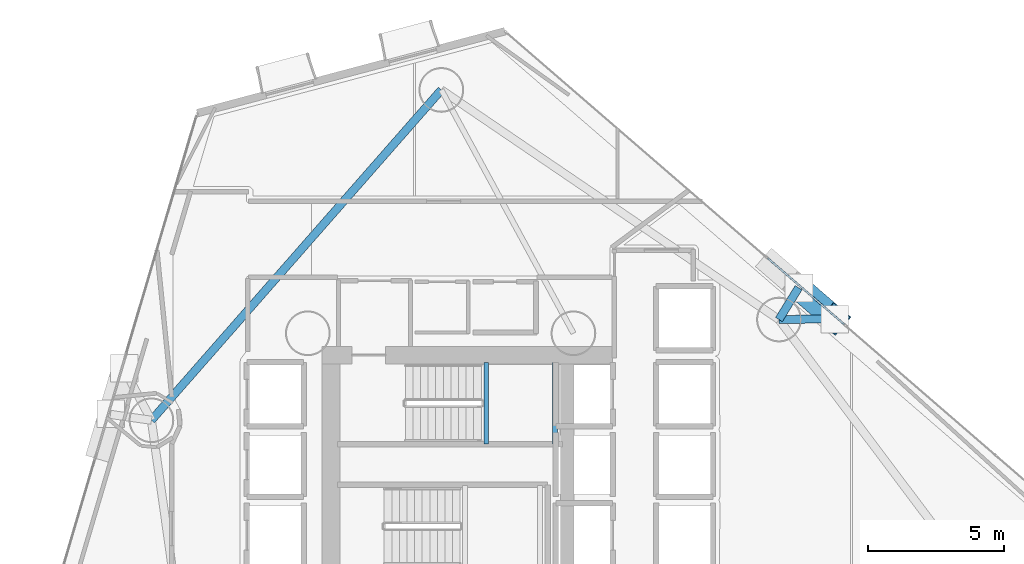
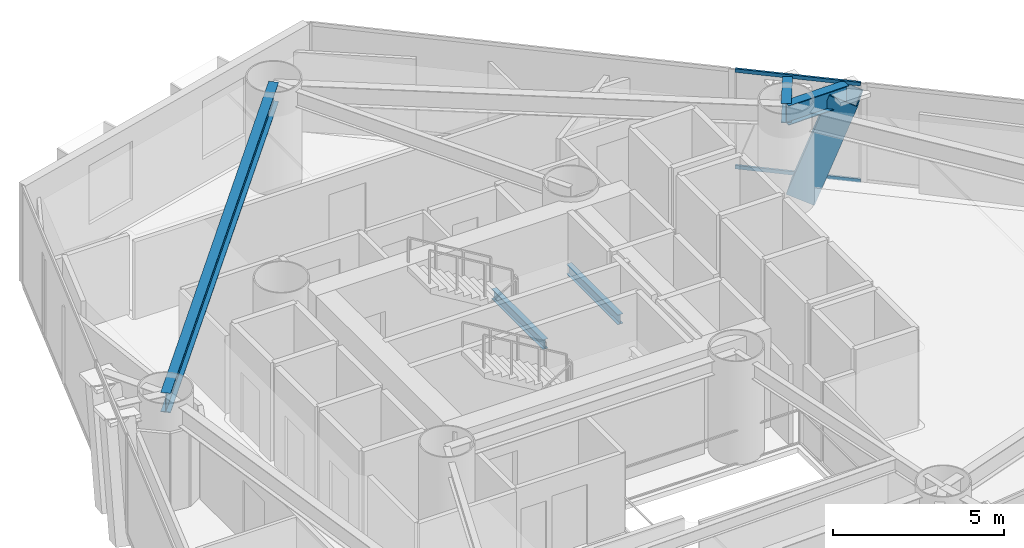
# One storey, part 9 of 23: 5 beams, 3 members, 1 element without a shape of its own.
"""IFC4 building model written with IfcOpenShell, lengths in metres."""

from ifc_helpers import new_model, si_unit, direction, frame, origin, origin_2d, place, context, subcontext, project, spatial, hollow_rectangle, i_section, extrude, material, layer, layer_set, material_profile, profile_set, type_object, element, aggregate, save


model = new_model("IFC4")

# Units and contexts
model_context = context("Model", 3, precision=1e-05, world=origin(), true_north=direction((0.0, 1.0)))
body_context = subcontext(model_context, "Body", "Model", "MODEL_VIEW")
ifc_project = project(units=[si_unit("LENGTHUNIT", "METRE"), si_unit("AREAUNIT", "SQUARE_METRE"), si_unit("VOLUMEUNIT", "CUBIC_METRE"), si_unit("PLANEANGLEUNIT", "RADIAN"), si_unit("MASSUNIT", "GRAM", prefix="KILO")], contexts=[model_context])

# Site, building, storey
site_placement = place(None, origin())
site = spatial("IfcSite", under=ifc_project, at=site_placement, CompositionType="ELEMENT")
building_placement = place(site_placement, origin())
building = spatial("IfcBuilding", under=site, at=building_placement, Name="Qianvela Tower", CompositionType="ELEMENT")
storey_placement = place(building_placement, frame((0.0, 0.0, 74.699951171875)))
storey = spatial("IfcBuildingStorey", under=building, at=storey_placement, Name="L18", CompositionType="ELEMENT", Elevation=74.699951171875)

# Beams
ifc_material_1 = material(Name="Steel Q355B", Category="steel")
ifc_material_profile_1 = material_profile(ifc_material_1, i_section(OverallWidth=0.175048828125, OverallDepth=0.35009765625, WebThickness=0.007080078125, FlangeThickness=0.010986328125, at=origin_2d()), Name="HN350x175x7x11")
ifc_profile_set_1 = profile_set([ifc_material_profile_1], Name="Steel Q355B")
beam_type_1 = type_object("IfcBeamType", Name="BM-HN350-JOIST", PredefinedType="JOIST", material=ifc_profile_set_1)
for number, where, z_axis, x_axis, name in (
    (1, (35.179931640625, 29.4599609375, 1.47509765625), (0.0, 1.0, 0.0), (-1.0, 0.0, 0.0), "L18 Stair ST-1 Landing Support Beam 1.1"),
    (2, (37.719970703125, 29.4599609375, 1.47509765625), (0.0, 1.0, 0.0), (-1.0, 0.0, 0.0), "L18 Stair ST-1 Landing Support Beam 1.2"),
):
    element("IfcBeam", number, at=place(storey_placement, frame(where, z_axis=z_axis, x_axis=x_axis)), inside=storey, type_object=beam_type_1, Name=name, PredefinedType="JOIST", context=body_context, shape_type="SweptSolid", body=[
        extrude(i_section(OverallWidth=0.175048828125, OverallDepth=0.35009765625, WebThickness=0.007080078125, FlangeThickness=0.010986328125, at=origin_2d()), origin(), (0.0, 0.0, 1.0), 3.02001953125),
    ])
ifc_material_2 = material(Name="Steel Q355B", Category="steel")
ifc_material_profile_2 = material_profile(ifc_material_2, i_section(OverallWidth=0.300048828125, OverallDepth=0.699951171875, WebThickness=0.012939453125, FlangeThickness=0.02392578125, at=origin_2d()), Name="HN700x300x13x24")
ifc_profile_set_2 = profile_set([ifc_material_profile_2], Name="Steel Q355B")
beam_type_2 = type_object("IfcBeamType", Name="BM-HN700-SPAND", PredefinedType="SPANDREL", material=ifc_profile_set_2)
beam_1_placement = place(storey_placement, frame((45.98388671875, 34.056884765625, 3.16796875), z_axis=(0.999906209312, 0.01369571392, 0.0), x_axis=(-0.01369571392, 0.999906209312, 0.0)))
element("IfcBeam", 3, at=beam_1_placement, inside=storey, type_object=beam_type_2, Name="L18 Mega-Brace Column Tie Bracket F1-1", PredefinedType="SPANDREL", context=body_context, shape_type="SweptSolid", body=[
    extrude(i_section(OverallWidth=0.300048828125, OverallDepth=0.699951171875, WebThickness=0.012939453125, FlangeThickness=0.02392578125, at=origin_2d()), origin(), (0.0, 0.0, 1.0), 2.050048828125),
])
beam_2_placement = place(storey_placement, frame((45.98388671875, 34.056884765625, 3.16796875), z_axis=(0.524768979589, 0.851244687538, 0.0), x_axis=(-0.851244687538, 0.524768979589, 0.0)))
element("IfcBeam", 4, at=beam_2_placement, inside=storey, type_object=beam_type_2, Name="L18 Mega-Brace Column Tie Bracket F1-2", PredefinedType="SPANDREL", context=body_context, shape_type="SweptSolid", body=[
    extrude(i_section(OverallWidth=0.300048828125, OverallDepth=0.699951171875, WebThickness=0.012939453125, FlangeThickness=0.02392578125, at=origin_2d()), origin(), (0.0, 0.0, 1.0), 1.37890625),
])
beam_3_placement = place(storey_placement, frame((33.52587890625, 42.529052734375, 3.16796875), z_axis=(-0.659601693124, -0.751615331422, 0.0), x_axis=(0.751615331422, -0.659601693124, 0.0)))
element("IfcBeam", 5, at=beam_3_placement, inside=storey, type_object=beam_type_2, Name="L18 Perimeter Ring Spandrel Girder 3", PredefinedType="SPANDREL", context=body_context, shape_type="SweptSolid", body=[
    extrude(i_section(OverallWidth=0.300048828125, OverallDepth=0.699951171875, WebThickness=0.012939453125, FlangeThickness=0.02392578125, at=origin_2d()), origin(), (0.0, 0.0, 1.0), 16.217041015625),
])

# Curtain wall, members
ifc_material_3 = material(Name="Anodised Architectural Aluminium and Insulated Spandrel Panel", Category="aluminium")
ifc_layer = layer(ifc_material_3, 0.179931640625)
ifc_layer_set = layer_set([ifc_layer], Name="Anodised Architectural Aluminium and Insulated Spandrel Panel")
curtain_wall_type = type_object("IfcCurtainWallType", Name="CW-BRACEBAY", PredefinedType="USERDEFINED", material=ifc_layer_set)
curtain_wall_placement = place(storey_placement, origin())
curtain_wall = element("IfcCurtainWall", 6, at=curtain_wall_placement, inside=storey, type_object=curtain_wall_type, Name="L18 CW-BRACEBAY Curtain Wall 02B", ObjectType="CURTAIN_WALL_SYSTEM", PredefinedType="USERDEFINED")
ifc_material_4 = material(Name="Anodised Architectural Aluminium 6063-T6", Category="aluminium")
ifc_material_profile_3 = material_profile(ifc_material_4, hollow_rectangle(XDim=0.06494140625, YDim=0.1298828125, WallThickness=0.00439453125, at=origin_2d()), Name="ALU-TRAN-65x130")
ifc_profile_set_3 = profile_set([ifc_material_profile_3], Name="Anodised Architectural Aluminium 6063-T6")
member_type_1 = type_object("IfcMemberType", Name="CW-BRACEBAY-TRAN", PredefinedType="USERDEFINED", material=ifc_profile_set_3)
member_1_placement = place(storey_placement, frame((48.39794921875, 33.875732421875, 0.032470703125), z_axis=(-0.756610145832, 0.653866260961, 0.0), x_axis=(-0.653866260961, -0.756610145832, 0.0)))
member_1 = element("IfcMember", 7, at=member_1_placement, type_object=member_type_1, Name="CW-9 transom 1.1", ObjectType="TRANSOM", PredefinedType="USERDEFINED", context=body_context, shape_type="SweptSolid", body=[
    extrude(hollow_rectangle(XDim=0.06494140625, YDim=0.1298828125, WallThickness=0.00439453125, at=origin_2d()), origin(), (0.0, 0.0, 1.0), 3.740234375),
])
member_2_placement = place(storey_placement, frame((48.39794921875, 33.875732421875, 3.487548828125), z_axis=(-0.756610145832, 0.653866260961, 0.0), x_axis=(-0.653866260961, -0.756610145832, 0.0)))
member_2 = element("IfcMember", 8, at=member_2_placement, type_object=member_type_1, Name="CW-9 transom 1.2", ObjectType="TRANSOM", PredefinedType="USERDEFINED", context=body_context, shape_type="SweptSolid", body=[
    extrude(hollow_rectangle(XDim=0.06494140625, YDim=0.1298828125, WallThickness=0.00439453125, at=origin_2d()), origin(), (0.0, 0.0, 1.0), 3.740234375),
])
aggregate(curtain_wall, [member_1, member_2])

# Member
ifc_material_5 = material(Name="Steel Q420GJC", Category="steel")
ifc_material_profile_4 = material_profile(ifc_material_5, hollow_rectangle(XDim=0.89990234375, YDim=0.89990234375, WallThickness=0.035888671875, at=origin_2d()), Name="MBOX-900x900x36")
ifc_profile_set_4 = profile_set([ifc_material_profile_4], Name="Steel Q420GJC")
member_type_2 = type_object("IfcMemberType", Name="MBR-MBRACE-900", PredefinedType="BRACE", material=ifc_profile_set_4)
member_3_placement = place(storey_placement, frame((47.05810546875, 34.927978515625, -0.531982421875), z_axis=(0.24898996557, -0.215155743522, 0.944305037091), x_axis=(0.653826898857, 0.756644160971, 0.0)))
element("IfcMember", 9, at=member_3_placement, inside=storey, type_object=member_type_2, Name="L18 Tier 3 Exterior Mega-Brace F1A", PredefinedType="BRACE", context=body_context, shape_type="SweptSolid", body=[
    extrude(hollow_rectangle(XDim=0.89990234375, YDim=0.89990234375, WallThickness=0.035888671875, at=origin_2d()), origin(), (0.0, 0.0, 1.0), 3.918212890625),
])

save(model, "model.ifc")
